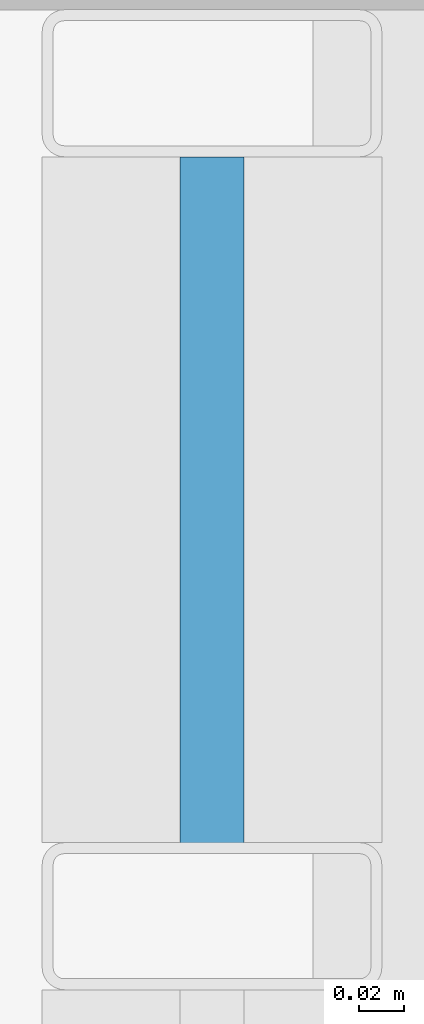
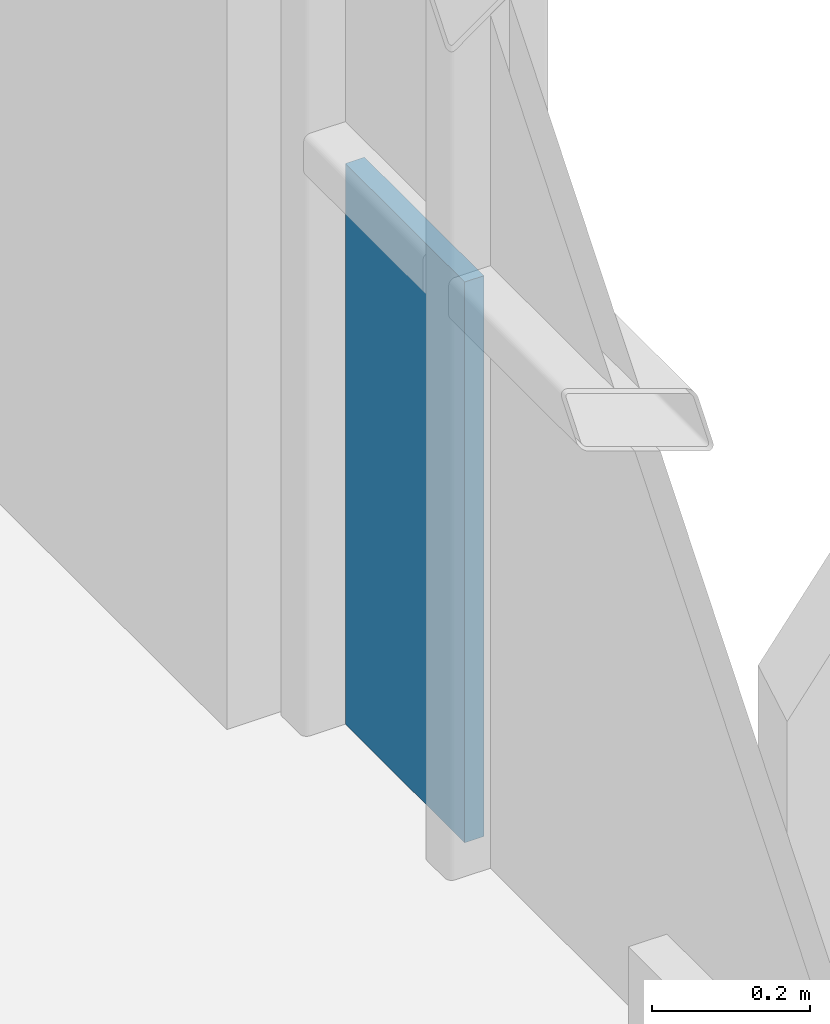
# One storey, part 26 of 38: 1 plate, 1 element without a shape of its own.
"""IFC4 building model written with IfcOpenShell, lengths in metres."""

from ifc_helpers import new_model, si_unit, direction, frame, origin, origin_2d, place, context, subcontext, project, spatial, rectangle, extrude, material, layer, layer_set, type_object, element, aggregate, save


model = new_model("IFC4")

# Units and contexts
model_context = context("Model", 3, precision=1e-05, world=origin(), true_north=direction((0.0, 1.0)))
body_context = subcontext(model_context, "Body", "Model", "MODEL_VIEW")
ifc_project = project(units=[si_unit("LENGTHUNIT", "METRE"), si_unit("AREAUNIT", "SQUARE_METRE"), si_unit("VOLUMEUNIT", "CUBIC_METRE"), si_unit("PLANEANGLEUNIT", "RADIAN"), si_unit("MASSUNIT", "GRAM", prefix="KILO")], contexts=[model_context])

# Site, building, storey
site_placement = place(None, origin())
site = spatial("IfcSite", under=ifc_project, at=site_placement, CompositionType="ELEMENT")
building_placement = place(site_placement, origin())
building = spatial("IfcBuilding", under=site, at=building_placement, Name="Brevholm Reach", CompositionType="ELEMENT")
storey_placement = place(building_placement, frame((0.0, 0.0, 52.800048828125)))
storey = spatial("IfcBuildingStorey", under=building, at=storey_placement, Name="L14", CompositionType="ELEMENT", Elevation=52.800048828125)

# Curtain wall, plate
ifc_material_1 = material(Name="Dark Anodised Aluminium 6063-T6 and Solar-Control Glass", Category="aluminium")
ifc_layer_1 = layer(ifc_material_1, 0.14990234375)
ifc_layer_set_1 = layer_set([ifc_layer_1], Name="Dark Anodised Aluminium 6063-T6 and Solar-Control Glass")
curtain_wall_type = type_object("IfcCurtainWallType", Name="CW-01", PredefinedType="NOTDEFINED", material=ifc_layer_set_1)
curtain_wall_placement = place(storey_placement, origin())
curtain_wall = element("IfcCurtainWall", 1, at=curtain_wall_placement, inside=storey, type_object=curtain_wall_type, Name="L14 Curtain Wall CW-01", PredefinedType="NOTDEFINED")
ifc_material_2 = material(Name="Dark Solar-Control Double-Glazed IGU Glass", Category="glass")
ifc_layer_2 = layer(ifc_material_2, 0.028076171875)
ifc_layer_set_2 = layer_set([ifc_layer_2], Name="Dark Solar-Control Double-Glazed IGU Glass")
plate_type = type_object("IfcPlateType", Name="CWP-GLZ-28", PredefinedType="CURTAIN_PANEL", material=ifc_layer_set_2)
plate_placement = place(storey_placement, frame((59.85009765625, 22.733642578125, 0.0), z_axis=(0.0, 0.0, 1.0), x_axis=(0.0, 1.0, 0.0)))
plate = element("IfcPlate", 2, at=plate_placement, type_object=plate_type, Name="CP-01 Glazing Panel 5.1", PredefinedType="CURTAIN_PANEL", context=body_context, shape_type="SweptSolid", body=[
    extrude(rectangle(XDim=0.302490234375, YDim=0.028076171875, at=origin_2d()), origin(), (0.0, 0.0, 1.0), 0.867431640625),
])
aggregate(curtain_wall, [plate])

save(model, "model.ifc")
